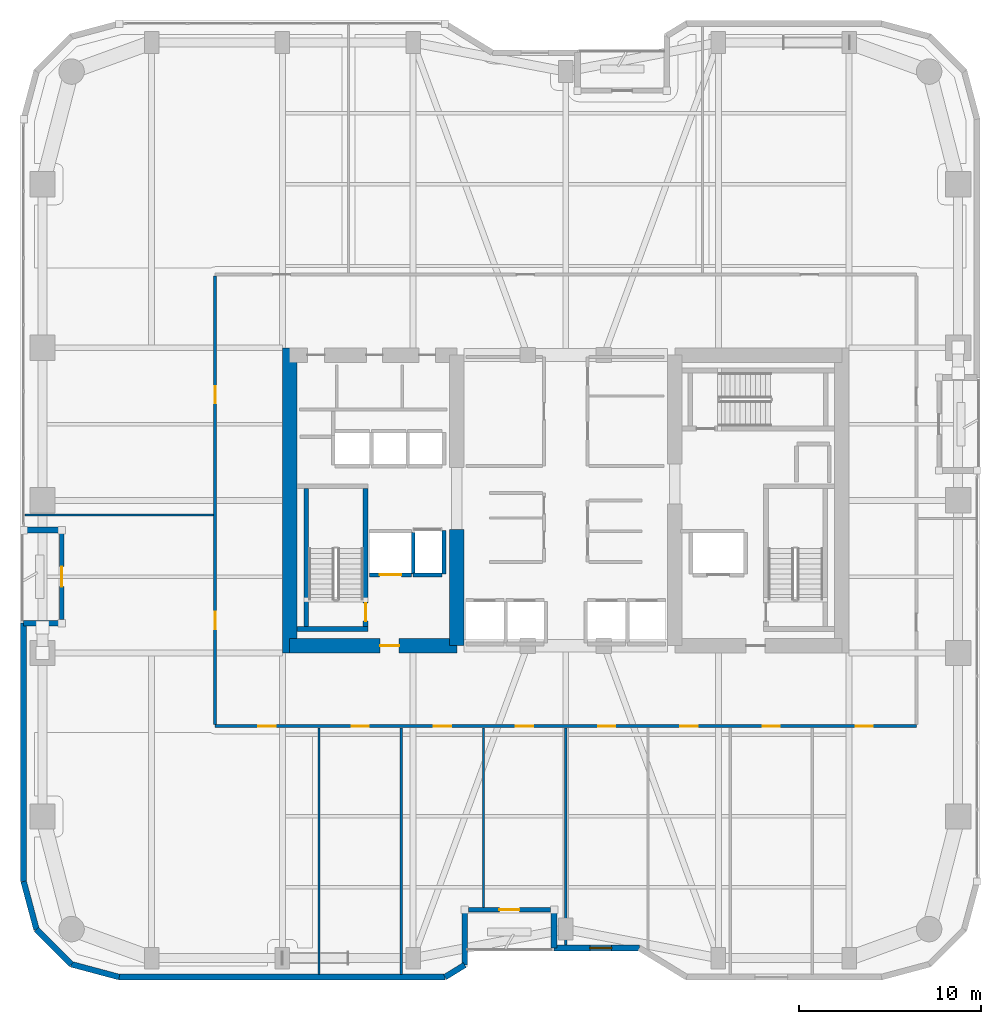
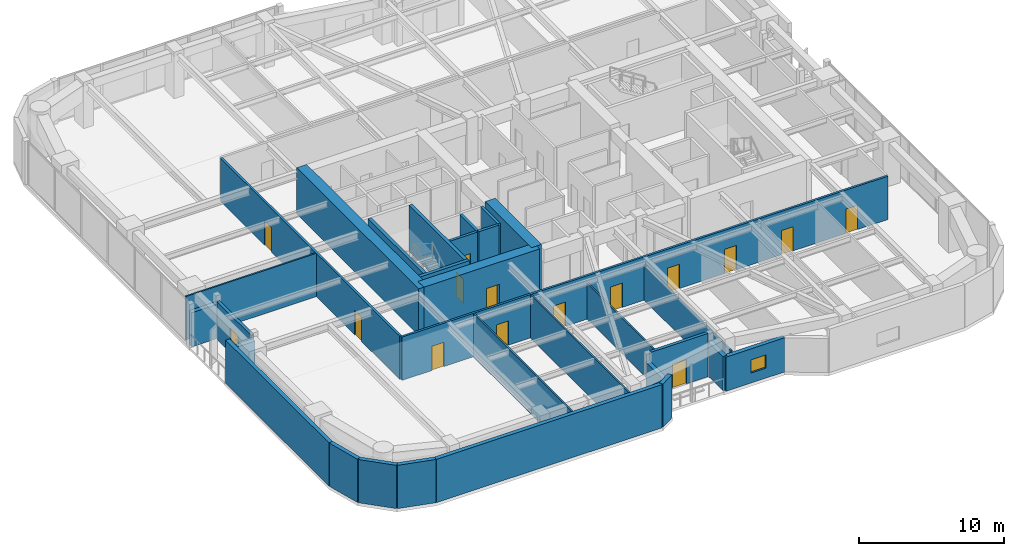
# One storey, part 18 of 24: 30 walls, 15 doors, 1 window, 16 openings.
"""IFC4 building model written with IfcOpenShell, lengths in metres."""

from ifc_helpers import new_model, si_unit, direction, frame, frame_2d, origin, place, context, subcontext, project, spatial, rectangle, extrude, material, layer, layer_set, type_object, element, fill, save


model = new_model("IFC4")

# Units and contexts
model_context = context("Model", 3, precision=1e-05, world=origin(), true_north=direction((0.0, 1.0)))
body_context = subcontext(model_context, "Body", "Model", "MODEL_VIEW")
ifc_project = project(units=[si_unit("LENGTHUNIT", "METRE"), si_unit("AREAUNIT", "SQUARE_METRE"), si_unit("VOLUMEUNIT", "CUBIC_METRE"), si_unit("PLANEANGLEUNIT", "RADIAN"), si_unit("MASSUNIT", "GRAM", prefix="KILO")], contexts=[model_context])

# Site, building, storey
site_placement = place(None, origin())
site = spatial("IfcSite", under=ifc_project, at=site_placement, CompositionType="ELEMENT")
building_placement = place(site_placement, origin())
building = spatial("IfcBuilding", under=site, at=building_placement, Name="Kiyonajd Concourse Tower", CompositionType="ELEMENT")
storey_placement = place(building_placement, frame((0.0, 0.0, 113.10009765625)))
storey = spatial("IfcBuildingStorey", under=building, at=storey_placement, Name="L29", CompositionType="ELEMENT", Elevation=113.10009765625)

# Walls
ifc_material_1 = material(Name="Concrete C70/85", Category="concrete")
ifc_layer_1 = layer(ifc_material_1, 0.800048828125)
ifc_layer_set_1 = layer_set([ifc_layer_1], Name="Concrete C70/85")
wall_type_1 = type_object("IfcWallType", Name="WL-CORE-800", PredefinedType="SHEAR", material=ifc_layer_set_1)
wall_1_placement = place(storey_placement, frame((32.800048828125, 27.60009765625, 0.0), z_axis=(0.0, 0.0, 1.0), x_axis=(0.0, 1.0, 0.0)))
element("IfcWall", 1, at=wall_1_placement, inside=storey, type_object=wall_type_1, Name="L29 West Core Outer Shear Wall", PredefinedType="SHEAR", context=body_context, shape_type="SweptSolid", body=[
    extrude(rectangle(XDim=16.7998046875, YDim=0.800048828125, at=frame_2d((8.39990234375, 0.0))), origin(), (0.0, 0.0, 1.0), 3.89990234375),
])
wall_2_placement = place(storey_placement, frame((42.0, 28.0, 0.0), z_axis=(0.0, 0.0, 1.0), x_axis=(0.0, 1.0, 0.0)))
element("IfcWall", 2, at=wall_2_placement, inside=storey, type_object=wall_type_1, Name="L29 West Core Inner South Shear Wall", PredefinedType="SHEAR", context=body_context, shape_type="SweptSolid", body=[
    extrude(rectangle(XDim=6.39990234375, YDim=0.800048828125, at=frame_2d((3.199951171875, 0.0))), origin(), (0.0, 0.0, 1.0), 3.89990234375),
])

# Wall, opening, door
wall_3_placement = place(storey_placement, frame((32.800048828125, 28.0, 0.0), z_axis=(0.0, 0.0, 1.0), x_axis=(1.0, 0.0, 0.0)))
wall_3 = element("IfcWall", 3, at=wall_3_placement, inside=storey, type_object=wall_type_1, Name="L29 West Core South Shear Wall", PredefinedType="SHEAR", context=body_context, shape_type="SweptSolid", body=[
    extrude(rectangle(XDim=9.199951171875, YDim=0.800048828125, at=frame_2d((4.60009765625, 0.0))), origin(), (0.0, 0.0, 1.0), 3.89990234375),
])
opening_1_placement = place(wall_3_placement, frame((4.97509765625, 0.0, 0.0)))
opening_1 = element("IfcOpeningElement", 4, at=opening_1_placement, cuts=wall_3, Name="Opening DF5", PredefinedType="OPENING", context=body_context, shape_type="SweptSolid", body=[
    extrude(rectangle(XDim=1.050048828125, YDim=2.0400390625, at=frame_2d((0.52490234375, 1.02001953125))), frame((0.0, 0.409912109375, 0.0), z_axis=(0.0, -1.0, 0.0), x_axis=(1.0, 0.0, 0.0)), (0.0, 0.0, 1.0), 0.820068359375),
])
ifc_material_2 = material(Name="Brushed Stainless Steel Cab Assembly", Category="steel")
door_type_1 = type_object("IfcDoorType", Name="DR-FD45-1050", OperationType="NOTDEFINED", PredefinedType="DOOR", material=ifc_material_2)
door_1_placement = place(opening_1_placement, origin())
door_1 = element("IfcDoor", 5, at=door_1_placement, inside=storey, type_object=door_type_1, Name="L29 Firefighting Lift Lobby W Smoke Door", OperationType="SINGLE_SWING_LEFT", OverallHeight=2.0400390625, OverallWidth=1.050048828125, PredefinedType="DOOR", context=body_context, shape_type="SweptSolid", body=[
    extrude(rectangle(XDim=1.050048828125, YDim=2.0400390625, at=frame_2d((0.52490234375, 1.02001953125))), frame((0.0, 0.02490234375, 0.0), z_axis=(0.0, -1.0, 0.0), x_axis=(1.0, 0.0, 0.0)), (0.0, 0.0, 1.0), 0.050048828125),
])
fill(opening_1, door_1)

# Walls
ifc_material_3 = material(Name="Precast concrete C50/60", Category="concrete")
ifc_layer_2 = layer(ifc_material_3, 0.320068359375)
ifc_layer_set_2 = layer_set([ifc_layer_2], Name="Precast concrete C50/60")
wall_type_2 = type_object("IfcWallType", Name="WL-EXT-320", PredefinedType="SOLIDWALL", material=ifc_layer_set_2)
wall_4_placement = place(storey_placement, frame((18.866455078125, 12.3828125, 0.0), z_axis=(0.0, 0.0, 1.0), x_axis=(-0.25869736047, 0.965958423373, 0.0)))
element("IfcWall", 6, at=wall_4_placement, inside=storey, type_object=wall_type_2, Name="L29 Exterior Concrete Frame Wall 00", PredefinedType="SOLIDWALL", context=body_context, shape_type="SweptSolid", body=[
    extrude(rectangle(XDim=2.731201171875, YDim=0.320068359375, at=frame_2d((1.36572265625, 0.0))), origin(), (0.0, 0.0, 1.0), 3.639892578125),
])
wall_5_placement = place(storey_placement, frame((18.159912109375, 15.02099609375, 0.0), z_axis=(0.0, 0.0, 1.0), x_axis=(0.0, 1.0, 0.0)))
element("IfcWall", 7, at=wall_5_placement, inside=storey, type_object=wall_type_2, Name="L29 Exterior Concrete Frame Wall 01", PredefinedType="SOLIDWALL", context=body_context, shape_type="SweptSolid", body=[
    extrude(rectangle(XDim=14.218994140625, YDim=0.320068359375, at=frame_2d((7.109375, 0.0))), origin(), (0.0, 0.0, 1.0), 3.639892578125),
])
for number, where, z_axis, x_axis, name in (
    (8, (18.159912109375, 29.239990234375, 0.0), (0.0, 0.0, 1.0), (1.0, 0.0, 0.0), "L29 Exterior Concrete Frame Wall 02"),
    (9, (20.260009765625, 34.360107421875, 0.0), (0.0, 0.0, 1.0), (-1.0, 0.0, 0.0), "L29 Exterior Concrete Frame Wall 04"),
):
    element("IfcWall", number, at=place(storey_placement, frame(where, z_axis=z_axis, x_axis=x_axis)), inside=storey, type_object=wall_type_2, Name=name, PredefinedType="SOLIDWALL", context=body_context, shape_type="SweptSolid", body=[
        extrude(rectangle(XDim=2.10009765625, YDim=0.320068359375, at=frame_2d((1.050048828125, 0.0))), origin(), (0.0, 0.0, 1.0), 2.875),
    ])

# Wall, opening, window
wall_6_placement = place(storey_placement, frame((52.04541015625, 11.360107421875, 0.0), z_axis=(0.0, 0.0, 1.0), x_axis=(-1.0, 0.0, 0.0)))
wall_6 = element("IfcWall", 10, at=wall_6_placement, inside=storey, type_object=wall_type_2, Name="L29 Exterior Concrete Frame Wall 30", PredefinedType="SOLIDWALL", context=body_context, shape_type="SweptSolid", body=[
    extrude(rectangle(XDim=4.685302734375, YDim=0.320068359375, at=frame_2d((2.3427734375, 0.0))), origin(), (0.0, 0.0, 1.0), 2.875),
])
opening_2_placement = place(wall_6_placement, frame((1.51806640625, 0.0, 0.85009765625)))
opening_2 = element("IfcOpeningElement", 11, at=opening_2_placement, cuts=wall_6, Name="Opening WN3", PredefinedType="OPENING", context=body_context, shape_type="SweptSolid", body=[
    extrude(rectangle(XDim=1.199951171875, YDim=1.10009765625, at=frame_2d((0.60009765625, 0.550048828125))), frame((0.0, 0.169921875, 0.0), z_axis=(0.0, -1.0, 0.0), x_axis=(1.0, 0.0, 0.0)), (0.0, 0.0, 1.0), 0.340087890625),
])
ifc_material_4 = material(Name="Double Low-E Insulated Glass", Category="glass")
window_type = type_object("IfcWindowType", Name="WN-VIS-1200x1100", PartitioningType="SINGLE_PANEL", PredefinedType="WINDOW", material=ifc_material_4)
window_placement = place(opening_2_placement, origin())
window = element("IfcWindow", 12, at=window_placement, inside=storey, type_object=window_type, Name="L29 Modular Facade Vision Window 30", OverallHeight=1.10009765625, OverallWidth=1.199951171875, PartitioningType="SINGLE_PANEL", PredefinedType="WINDOW", context=body_context, shape_type="SweptSolid", body=[
    extrude(rectangle(XDim=1.199951171875, YDim=1.10009765625, at=frame_2d((0.60009765625, 0.550048828125))), frame((0.0, 0.030029296875, 0.0), z_axis=(0.0, -1.0, 0.0), x_axis=(1.0, 0.0, 0.0)), (0.0, 0.0, 1.0), 0.06005859375),
])
fill(opening_2, window)

# Walls
wall_7_placement = place(storey_placement, frame((47.360107421875, 11.360107421875, 0.0), z_axis=(0.0, 0.0, 1.0), x_axis=(0.0, 1.0, 0.0)))
element("IfcWall", 13, at=wall_7_placement, inside=storey, type_object=wall_type_2, Name="L29 Exterior Concrete Frame Wall 31", PredefinedType="SOLIDWALL", context=body_context, shape_type="SweptSolid", body=[
    extrude(rectangle(XDim=2.099853515625, YDim=0.320068359375, at=frame_2d((1.0498046875, 0.0))), origin(), (0.0, 0.0, 1.0), 2.875),
])
wall_8_placement = place(storey_placement, frame((42.43994140625, 13.4599609375, 0.0), z_axis=(0.0, 0.0, 1.0), x_axis=(0.0, -1.0, 0.0)))
element("IfcWall", 14, at=wall_8_placement, inside=storey, type_object=wall_type_2, Name="L29 Exterior Concrete Frame Wall 33", PredefinedType="SOLIDWALL", context=body_context, shape_type="SweptSolid", body=[
    extrude(rectangle(XDim=3.032470703125, YDim=0.320068359375, at=frame_2d((1.51611328125, 0.0))), origin(), (0.0, 0.0, 1.0), 2.875),
])
wall_9_placement = place(storey_placement, frame((42.43994140625, 10.427490234375, 0.0), z_axis=(0.0, 0.0, 1.0), x_axis=(-0.851776724646, -0.523904964045, 0.0)))
element("IfcWall", 15, at=wall_9_placement, inside=storey, type_object=wall_type_2, Name="L29 Exterior Concrete Frame Wall 34", PredefinedType="SOLIDWALL", context=body_context, shape_type="SweptSolid", body=[
    extrude(rectangle(XDim=1.274169921875, YDim=0.320068359375, at=frame_2d((0.63720703125, 0.0))), origin(), (0.0, 0.0, 1.0), 3.639892578125),
])
wall_10_placement = place(storey_placement, frame((41.354736328125, 9.760009765625, 0.0), z_axis=(0.0, 0.0, 1.0), x_axis=(-1.0, 0.0, 0.0)))
element("IfcWall", 16, at=wall_10_placement, inside=storey, type_object=wall_type_2, Name="L29 Exterior Concrete Frame Wall 35", PredefinedType="SOLIDWALL", context=body_context, shape_type="SweptSolid", body=[
    extrude(rectangle(XDim=17.93359375, YDim=0.320068359375, at=frame_2d((8.966796875, 0.0))), origin(), (0.0, 0.0, 1.0), 3.639892578125),
])
wall_11_placement = place(storey_placement, frame((23.421142578125, 9.760009765625, 0.0), z_axis=(0.0, 0.0, 1.0), x_axis=(-0.965964405026, 0.25867502435, 0.0)))
element("IfcWall", 17, at=wall_11_placement, inside=storey, type_object=wall_type_2, Name="L29 Exterior Concrete Frame Wall 36", PredefinedType="SOLIDWALL", context=body_context, shape_type="SweptSolid", body=[
    extrude(rectangle(XDim=2.7314453125, YDim=0.320068359375, at=frame_2d((1.36572265625, 0.0))), origin(), (0.0, 0.0, 1.0), 3.639892578125),
])
wall_12_placement = place(storey_placement, frame((20.78271484375, 10.466552734375, 0.0), z_axis=(0.0, 0.0, 1.0), x_axis=(-0.707106781187, 0.707106781187, 0.0)))
element("IfcWall", 18, at=wall_12_placement, inside=storey, type_object=wall_type_2, Name="L29 Exterior Concrete Frame Wall 37", PredefinedType="SOLIDWALL", context=body_context, shape_type="SweptSolid", body=[
    extrude(rectangle(XDim=2.7099609375, YDim=0.320068359375, at=frame_2d((1.35498046875, 0.0))), origin(), (0.0, 0.0, 1.0), 3.639892578125),
])

# Wall, opening, door
ifc_layer_3 = layer(ifc_material_3, 0.239990234375)
ifc_layer_set_3 = layer_set([ifc_layer_3], Name="Precast concrete C50/60")
wall_type_3 = type_object("IfcWallType", Name="WL-LOG-240", PredefinedType="SOLIDWALL", material=ifc_layer_set_3)
wall_13_placement = place(storey_placement, frame((20.260009765625, 29.43505859375, 0.0), z_axis=(0.0, 0.0, 1.0), x_axis=(0.0, 1.0, 0.0)))
wall_13 = element("IfcWall", 19, at=wall_13_placement, inside=storey, type_object=wall_type_3, Name="L29 Recessed Loggia Thermal Wall LOG-W", PredefinedType="SOLIDWALL", context=body_context, shape_type="SweptSolid", body=[
    extrude(rectangle(XDim=4.72998046875, YDim=0.239990234375, at=frame_2d((2.364990234375, 0.0))), origin(), (0.0, 0.0, 1.0), 3.161865234375),
])
opening_3_placement = place(wall_13_placement, frame((1.81494140625, 0.0, 0.0)))
opening_3 = element("IfcOpeningElement", 20, at=opening_3_placement, cuts=wall_13, Name="Opening DL2", PredefinedType="OPENING", context=body_context, shape_type="SweptSolid", body=[
    extrude(rectangle(XDim=1.10009765625, YDim=2.0400390625, at=frame_2d((0.550048828125, 1.02001953125))), frame((0.0, 0.1298828125, 0.0), z_axis=(0.0, -1.0, 0.0), x_axis=(1.0, 0.0, 0.0)), (0.0, 0.0, 1.0), 0.260009765625),
])
ifc_material_5 = material(Name="Thermally Broken Anodised Aluminium", Category="aluminium")
door_type_2 = type_object("IfcDoorType", Name="DR-LOG-1100", OperationType="NOTDEFINED", PredefinedType="DOOR", material=ifc_material_5)
door_2_placement = place(opening_3_placement, origin())
door_2 = element("IfcDoor", 21, at=door_2_placement, inside=storey, type_object=door_type_2, Name="L29 Engawa Loggia Access Door LOG-W", OperationType="SINGLE_SWING_LEFT", OverallHeight=2.0400390625, OverallWidth=1.10009765625, PredefinedType="DOOR", context=body_context, shape_type="SweptSolid", body=[
    extrude(rectangle(XDim=1.10009765625, YDim=2.0400390625, at=frame_2d((0.550048828125, 1.02001953125))), frame((0.0, 0.02490234375, 0.0), z_axis=(0.0, -1.0, 0.0), x_axis=(1.0, 0.0, 0.0)), (0.0, 0.0, 1.0), 0.050048828125),
])
fill(opening_3, door_2)

wall_14_placement = place(storey_placement, frame((47.1650390625, 13.4599609375, 0.0), z_axis=(0.0, 0.0, 1.0), x_axis=(-1.0, 0.0, 0.0)))
wall_14 = element("IfcWall", 22, at=wall_14_placement, inside=storey, type_object=wall_type_3, Name="L29 Recessed Loggia Thermal Wall LOG-S", PredefinedType="SOLIDWALL", context=body_context, shape_type="SweptSolid", body=[
    extrude(rectangle(XDim=4.530029296875, YDim=0.239990234375, at=frame_2d((2.26513671875, 0.0))), origin(), (0.0, 0.0, 1.0), 3.639892578125),
])
opening_4_placement = place(wall_14_placement, frame((1.715087890625, 0.0, 0.0)))
opening_4 = element("IfcOpeningElement", 23, at=opening_4_placement, cuts=wall_14, Name="Opening DL2", PredefinedType="OPENING", context=body_context, shape_type="SweptSolid", body=[
    extrude(rectangle(XDim=1.10009765625, YDim=2.0400390625, at=frame_2d((0.550048828125, 1.02001953125))), frame((0.0, 0.1298828125, 0.0), z_axis=(0.0, -1.0, 0.0), x_axis=(1.0, 0.0, 0.0)), (0.0, 0.0, 1.0), 0.260009765625),
])
door_3_placement = place(opening_4_placement, origin())
door_3 = element("IfcDoor", 24, at=door_3_placement, inside=storey, type_object=door_type_2, Name="L29 Engawa Loggia Access Door LOG-S", OperationType="SINGLE_SWING_RIGHT", OverallHeight=2.0400390625, OverallWidth=1.10009765625, PredefinedType="DOOR", context=body_context, shape_type="SweptSolid", body=[
    extrude(rectangle(XDim=1.10009765625, YDim=2.0400390625, at=frame_2d((0.550048828125, 1.02001953125))), frame((0.0, 0.02490234375, 0.0), z_axis=(0.0, -1.0, 0.0), x_axis=(1.0, 0.0, 0.0)), (0.0, 0.0, 1.0), 0.050048828125),
])
fill(opening_4, door_3)

# Walls
ifc_material_6 = material(Name="Gypsum Board on Cold-Formed Steel Stud", Category="steel")
ifc_layer_4 = layer(ifc_material_6, 0.125)
ifc_layer_set_4 = layer_set([ifc_layer_4], Name="Gypsum Board on Cold-Formed Steel Stud")
wall_type_4 = type_object("IfcWallType", Name="WL-PART-125", PredefinedType="PARTITIONING", material=ifc_layer_set_4)
for number, where, z_axis, x_axis, name in (
    (25, (34.419921875, 9.9150390625, 0.0), (0.0, 0.0, 1.0), (0.0, 1.0, 0.0), "L29 Interior Partition Wall"),
    (26, (38.949951171875, 9.9150390625, 0.0), (0.0, 0.0, 1.0), (0.0, 1.0, 0.0), "L29 Interior Partition Wall"),
):
    element("IfcWall", number, at=place(storey_placement, frame(where, z_axis=z_axis, x_axis=x_axis)), inside=storey, type_object=wall_type_4, Name=name, PredefinedType="PARTITIONING", context=body_context, shape_type="SweptSolid", body=[
        extrude(rectangle(XDim=13.56787109375, YDim=0.125, at=frame_2d((6.783935546875, 0.0))), origin(), (0.0, 0.0, 1.0), 3.639892578125),
    ])
wall_15_placement = place(storey_placement, frame((43.469970703125, 13.574951171875, 0.0), z_axis=(0.0, 0.0, 1.0), x_axis=(0.0, 1.0, 0.0)))
element("IfcWall", 27, at=wall_15_placement, inside=storey, type_object=wall_type_4, Name="L29 Interior Partition Wall", PredefinedType="PARTITIONING", context=body_context, shape_type="SweptSolid", body=[
    extrude(rectangle(XDim=9.907958984375, YDim=0.125, at=frame_2d((4.9541015625, 0.0))), origin(), (0.0, 0.0, 1.0), 3.0029296875),
])
wall_16_placement = place(storey_placement, frame((48.0, 11.514892578125, 0.0), z_axis=(0.0, 0.0, 1.0), x_axis=(0.0, 1.0, 0.0)))
element("IfcWall", 28, at=wall_16_placement, inside=storey, type_object=wall_type_4, Name="L29 Interior Partition Wall", PredefinedType="PARTITIONING", context=body_context, shape_type="SweptSolid", body=[
    extrude(rectangle(XDim=11.968017578125, YDim=0.125, at=frame_2d((5.98388671875, 0.0))), origin(), (0.0, 0.0, 1.0), 3.0029296875),
])
wall_17_placement = place(storey_placement, frame((18.2451171875, 35.199951171875, 0.0), z_axis=(0.0, 0.0, 1.0), x_axis=(1.0, 0.0, 0.0)))
element("IfcWall", 29, at=wall_17_placement, inside=storey, type_object=wall_type_4, Name="L29 Interior Partition Wall", PredefinedType="PARTITIONING", context=body_context, shape_type="SweptSolid", body=[
    extrude(rectangle(XDim=10.367919921875, YDim=0.125, at=frame_2d((5.18408203125, 0.0))), origin(), (0.0, 0.0, 1.0), 3.639892578125),
])

# Wall, opening, door
ifc_layer_5 = layer(ifc_material_6, 0.2099609375)
ifc_layer_set_5 = layer_set([ifc_layer_5], Name="Gypsum Board on Cold-Formed Steel Stud")
wall_type_5 = type_object("IfcWallType", Name="WL-SHAFT-210", PredefinedType="PARTITIONING", material=ifc_layer_set_5)
wall_18_placement = place(storey_placement, frame((37.199951171875, 31.89990234375, 0.0), z_axis=(0.0, 0.0, 1.0), x_axis=(1.0, 0.0, 0.0)))
wall_18 = element("IfcWall", 30, at=wall_18_placement, inside=storey, type_object=wall_type_5, Name="L29 Shaft Enclosure Wall", PredefinedType="PARTITIONING", context=body_context, shape_type="SweptSolid", body=[
    extrude(rectangle(XDim=2.300048828125, YDim=0.2099609375, at=frame_2d((1.14990234375, 0.0))), origin(), (0.0, 0.0, 1.0), 3.639892578125),
])
opening_5_placement = place(wall_18_placement, frame((0.550048828125, 0.0, 0.0)))
opening_5 = element("IfcOpeningElement", 31, at=opening_5_placement, cuts=wall_18, Name="Opening LD2", PredefinedType="OPENING", context=body_context, shape_type="SweptSolid", body=[
    extrude(rectangle(XDim=1.199951171875, YDim=2.0400390625, at=frame_2d((0.60009765625, 1.02001953125))), frame((0.0, 0.114990234375, 0.0), z_axis=(0.0, -1.0, 0.0), x_axis=(1.0, 0.0, 0.0)), (0.0, 0.0, 1.0), 0.22998046875),
])
door_type_3 = type_object("IfcDoorType", Name="DR-LD-1200", OperationType="DOUBLE_DOOR_SLIDING", PredefinedType="DOOR", material=ifc_material_2)
door_4_placement = place(opening_5_placement, origin())
door_4 = element("IfcDoor", 32, at=door_4_placement, inside=storey, type_object=door_type_3, Name="L29 Lift FFL1 Sliding Landing Door", OperationType="DOUBLE_DOOR_SLIDING", OverallHeight=2.0400390625, OverallWidth=1.199951171875, PredefinedType="DOOR", context=body_context, shape_type="SweptSolid", body=[
    extrude(rectangle(XDim=1.199951171875, YDim=2.0400390625, at=frame_2d((0.60009765625, 1.02001953125))), frame((0.0, 0.02490234375, 0.0), z_axis=(0.0, -1.0, 0.0), x_axis=(1.0, 0.0, 0.0)), (0.0, 0.0, 1.0), 0.050048828125),
])
fill(opening_5, door_4)

# Walls
wall_19_placement = place(storey_placement, frame((39.60009765625, 31.9599609375, 0.0), z_axis=(0.0, 0.0, 1.0), x_axis=(0.0, 1.0, 0.0)))
element("IfcWall", 33, at=wall_19_placement, inside=storey, type_object=wall_type_5, Name="L29 Shaft Enclosure Wall", PredefinedType="PARTITIONING", context=body_context, shape_type="SweptSolid", body=[
    extrude(rectangle(XDim=2.280029296875, YDim=0.2099609375, at=frame_2d((1.14013671875, 0.0))), origin(), (0.0, 0.0, 1.0), 3.639892578125),
])
wall_20_placement = place(storey_placement, frame((39.60009765625, 31.89990234375, 0.0), z_axis=(0.0, 0.0, 1.0), x_axis=(1.0, 0.0, 0.0)))
element("IfcWall", 34, at=wall_20_placement, inside=storey, type_object=wall_type_5, Name="L29 Shaft Enclosure Wall", PredefinedType="PARTITIONING", context=body_context, shape_type="SweptSolid", body=[
    extrude(rectangle(XDim=1.599853515625, YDim=0.2099609375, at=frame_2d((0.7998046875, 0.0))), origin(), (0.0, 0.0, 1.0), 3.639892578125),
])
wall_21_placement = place(storey_placement, frame((41.300048828125, 31.9599609375, 0.0), z_axis=(0.0, 0.0, 1.0), x_axis=(0.0, 1.0, 0.0)))
element("IfcWall", 35, at=wall_21_placement, inside=storey, type_object=wall_type_5, Name="L29 Shaft Enclosure Wall", PredefinedType="PARTITIONING", context=body_context, shape_type="SweptSolid", body=[
    extrude(rectangle(XDim=2.380126953125, YDim=0.2099609375, at=frame_2d((1.18994140625, 0.0))), origin(), (0.0, 0.0, 1.0), 3.639892578125),
])

# Wall, openings, doors
ifc_layer_6 = layer(ifc_material_6, 0.169921875)
ifc_layer_set_6 = layer_set([ifc_layer_6], Name="Gypsum Board on Cold-Formed Steel Stud")
wall_type_6 = type_object("IfcWallType", Name="WL-SMK-170", PredefinedType="PARTITIONING", material=ifc_layer_set_6)
wall_22_placement = place(storey_placement, frame((28.699951171875, 23.570068359375, 0.0), z_axis=(0.0, 0.0, 1.0), x_axis=(1.0, 0.0, 0.0)))
wall_22 = element("IfcWall", 36, at=wall_22_placement, inside=storey, type_object=wall_type_6, Name="L29 Interior Partition Wall", PredefinedType="PARTITIONING", context=body_context, shape_type="SweptSolid", body=[
    extrude(rectangle(XDim=38.60009765625, YDim=0.169921875, at=frame_2d((19.300048828125, 0.0))), origin(), (0.0, 0.0, 1.0), 3.639892578125),
])
opening_6_placement = place(wall_22_placement, frame((2.385009765625, 0.0, 0.0)))
opening_6 = element("IfcOpeningElement", 37, at=opening_6_placement, cuts=wall_22, Name="Opening DI1", PredefinedType="OPENING", context=body_context, shape_type="SweptSolid", body=[
    extrude(rectangle(XDim=0.949951171875, YDim=2.0400390625, at=frame_2d((0.47509765625, 1.02001953125))), frame((0.0, 0.094970703125, 0.0), z_axis=(0.0, -1.0, 0.0), x_axis=(1.0, 0.0, 0.0)), (0.0, 0.0, 1.0), 0.18994140625),
])
opening_7_placement = place(wall_22_placement, frame((7.510009765625, 0.0, 0.0)))
opening_7 = element("IfcOpeningElement", 38, at=opening_7_placement, cuts=wall_22, Name="Opening DI1", PredefinedType="OPENING", context=body_context, shape_type="SweptSolid", body=[
    extrude(rectangle(XDim=0.949951171875, YDim=2.0400390625, at=frame_2d((0.47509765625, 1.02001953125))), frame((0.0, 0.094970703125, 0.0), z_axis=(0.0, -1.0, 0.0), x_axis=(1.0, 0.0, 0.0)), (0.0, 0.0, 1.0), 0.18994140625),
])
opening_8_placement = place(wall_22_placement, frame((12.034912109375, 0.0, 0.0)))
opening_8 = element("IfcOpeningElement", 39, at=opening_8_placement, cuts=wall_22, Name="Opening DI1", PredefinedType="OPENING", context=body_context, shape_type="SweptSolid", body=[
    extrude(rectangle(XDim=0.949951171875, YDim=2.0400390625, at=frame_2d((0.47509765625, 1.02001953125))), frame((0.0, 0.094970703125, 0.0), z_axis=(0.0, -1.0, 0.0), x_axis=(1.0, 0.0, 0.0)), (0.0, 0.0, 1.0), 0.18994140625),
])
opening_9_placement = place(wall_22_placement, frame((16.56005859375, 0.0, 0.0)))
opening_9 = element("IfcOpeningElement", 40, at=opening_9_placement, cuts=wall_22, Name="Opening DI1", PredefinedType="OPENING", context=body_context, shape_type="SweptSolid", body=[
    extrude(rectangle(XDim=0.949951171875, YDim=2.0400390625, at=frame_2d((0.47509765625, 1.02001953125))), frame((0.0, 0.094970703125, 0.0), z_axis=(0.0, -1.0, 0.0), x_axis=(1.0, 0.0, 0.0)), (0.0, 0.0, 1.0), 0.18994140625),
])
opening_10_placement = place(wall_22_placement, frame((21.0849609375, 0.0, 0.0)))
opening_10 = element("IfcOpeningElement", 41, at=opening_10_placement, cuts=wall_22, Name="Opening DI1", PredefinedType="OPENING", context=body_context, shape_type="SweptSolid", body=[
    extrude(rectangle(XDim=0.949951171875, YDim=2.0400390625, at=frame_2d((0.47509765625, 1.02001953125))), frame((0.0, 0.094970703125, 0.0), z_axis=(0.0, -1.0, 0.0), x_axis=(1.0, 0.0, 0.0)), (0.0, 0.0, 1.0), 0.18994140625),
])
opening_11_placement = place(wall_22_placement, frame((25.610107421875, 0.0, 0.0)))
opening_11 = element("IfcOpeningElement", 42, at=opening_11_placement, cuts=wall_22, Name="Opening DI1", PredefinedType="OPENING", context=body_context, shape_type="SweptSolid", body=[
    extrude(rectangle(XDim=0.949951171875, YDim=2.0400390625, at=frame_2d((0.47509765625, 1.02001953125))), frame((0.0, 0.094970703125, 0.0), z_axis=(0.0, -1.0, 0.0), x_axis=(1.0, 0.0, 0.0)), (0.0, 0.0, 1.0), 0.18994140625),
])
opening_12_placement = place(wall_22_placement, frame((30.135009765625, 0.0, 0.0)))
opening_12 = element("IfcOpeningElement", 43, at=opening_12_placement, cuts=wall_22, Name="Opening DI1", PredefinedType="OPENING", context=body_context, shape_type="SweptSolid", body=[
    extrude(rectangle(XDim=0.949951171875, YDim=2.0400390625, at=frame_2d((0.47509765625, 1.02001953125))), frame((0.0, 0.094970703125, 0.0), z_axis=(0.0, -1.0, 0.0), x_axis=(1.0, 0.0, 0.0)), (0.0, 0.0, 1.0), 0.18994140625),
])
opening_13_placement = place(wall_22_placement, frame((35.260009765625, 0.0, 0.0)))
opening_13 = element("IfcOpeningElement", 44, at=opening_13_placement, cuts=wall_22, Name="Opening DI1", PredefinedType="OPENING", context=body_context, shape_type="SweptSolid", body=[
    extrude(rectangle(XDim=0.949951171875, YDim=2.0400390625, at=frame_2d((0.47509765625, 1.02001953125))), frame((0.0, 0.094970703125, 0.0), z_axis=(0.0, -1.0, 0.0), x_axis=(1.0, 0.0, 0.0)), (0.0, 0.0, 1.0), 0.18994140625),
])
ifc_material_7 = material(Name="Natural Oak Acoustic Timber Veneer", Category="wood")
door_type_4 = type_object("IfcDoorType", Name="DR-INT-950", OperationType="NOTDEFINED", PredefinedType="DOOR", material=ifc_material_7)
door_5_placement = place(opening_6_placement, origin())
door_5 = element("IfcDoor", 45, at=door_5_placement, inside=storey, type_object=door_type_4, Name="L29 Interior Door", OperationType="SINGLE_SWING_RIGHT", OverallHeight=2.0400390625, OverallWidth=0.949951171875, PredefinedType="DOOR", context=body_context, shape_type="SweptSolid", body=[
    extrude(rectangle(XDim=0.949951171875, YDim=2.0400390625, at=frame_2d((0.47509765625, 1.02001953125))), frame((0.0, 0.02490234375, 0.0), z_axis=(0.0, -1.0, 0.0), x_axis=(1.0, 0.0, 0.0)), (0.0, 0.0, 1.0), 0.050048828125),
])
fill(opening_6, door_5)
door_6_placement = place(opening_7_placement, origin())
door_6 = element("IfcDoor", 46, at=door_6_placement, inside=storey, type_object=door_type_4, Name="L29 Interior Door", OperationType="SINGLE_SWING_LEFT", OverallHeight=2.0400390625, OverallWidth=0.949951171875, PredefinedType="DOOR", context=body_context, shape_type="SweptSolid", body=[
    extrude(rectangle(XDim=0.949951171875, YDim=2.0400390625, at=frame_2d((0.47509765625, 1.02001953125))), frame((0.0, 0.02490234375, 0.0), z_axis=(0.0, -1.0, 0.0), x_axis=(1.0, 0.0, 0.0)), (0.0, 0.0, 1.0), 0.050048828125),
])
fill(opening_7, door_6)
door_7_placement = place(opening_8_placement, origin())
door_7 = element("IfcDoor", 47, at=door_7_placement, inside=storey, type_object=door_type_4, Name="L29 Interior Door", OperationType="SINGLE_SWING_RIGHT", OverallHeight=2.0400390625, OverallWidth=0.949951171875, PredefinedType="DOOR", context=body_context, shape_type="SweptSolid", body=[
    extrude(rectangle(XDim=0.949951171875, YDim=2.0400390625, at=frame_2d((0.47509765625, 1.02001953125))), frame((0.0, 0.02490234375, 0.0), z_axis=(0.0, -1.0, 0.0), x_axis=(1.0, 0.0, 0.0)), (0.0, 0.0, 1.0), 0.050048828125),
])
fill(opening_8, door_7)
door_8_placement = place(opening_9_placement, origin())
door_8 = element("IfcDoor", 48, at=door_8_placement, inside=storey, type_object=door_type_4, Name="L29 Interior Door", OperationType="SINGLE_SWING_LEFT", OverallHeight=2.0400390625, OverallWidth=0.949951171875, PredefinedType="DOOR", context=body_context, shape_type="SweptSolid", body=[
    extrude(rectangle(XDim=0.949951171875, YDim=2.0400390625, at=frame_2d((0.47509765625, 1.02001953125))), frame((0.0, 0.02490234375, 0.0), z_axis=(0.0, -1.0, 0.0), x_axis=(1.0, 0.0, 0.0)), (0.0, 0.0, 1.0), 0.050048828125),
])
fill(opening_9, door_8)
door_9_placement = place(opening_10_placement, origin())
door_9 = element("IfcDoor", 49, at=door_9_placement, inside=storey, type_object=door_type_4, Name="L29 Interior Door", OperationType="SINGLE_SWING_RIGHT", OverallHeight=2.0400390625, OverallWidth=0.949951171875, PredefinedType="DOOR", context=body_context, shape_type="SweptSolid", body=[
    extrude(rectangle(XDim=0.949951171875, YDim=2.0400390625, at=frame_2d((0.47509765625, 1.02001953125))), frame((0.0, 0.02490234375, 0.0), z_axis=(0.0, -1.0, 0.0), x_axis=(1.0, 0.0, 0.0)), (0.0, 0.0, 1.0), 0.050048828125),
])
fill(opening_10, door_9)
door_10_placement = place(opening_11_placement, origin())
door_10 = element("IfcDoor", 50, at=door_10_placement, inside=storey, type_object=door_type_4, Name="L29 Interior Door", OperationType="SINGLE_SWING_LEFT", OverallHeight=2.0400390625, OverallWidth=0.949951171875, PredefinedType="DOOR", context=body_context, shape_type="SweptSolid", body=[
    extrude(rectangle(XDim=0.949951171875, YDim=2.0400390625, at=frame_2d((0.47509765625, 1.02001953125))), frame((0.0, 0.02490234375, 0.0), z_axis=(0.0, -1.0, 0.0), x_axis=(1.0, 0.0, 0.0)), (0.0, 0.0, 1.0), 0.050048828125),
])
fill(opening_11, door_10)
door_11_placement = place(opening_12_placement, origin())
door_11 = element("IfcDoor", 51, at=door_11_placement, inside=storey, type_object=door_type_4, Name="L29 Interior Door", OperationType="SINGLE_SWING_RIGHT", OverallHeight=2.0400390625, OverallWidth=0.949951171875, PredefinedType="DOOR", context=body_context, shape_type="SweptSolid", body=[
    extrude(rectangle(XDim=0.949951171875, YDim=2.0400390625, at=frame_2d((0.47509765625, 1.02001953125))), frame((0.0, 0.02490234375, 0.0), z_axis=(0.0, -1.0, 0.0), x_axis=(1.0, 0.0, 0.0)), (0.0, 0.0, 1.0), 0.050048828125),
])
fill(opening_12, door_11)
door_12_placement = place(opening_13_placement, origin())
door_12 = element("IfcDoor", 52, at=door_12_placement, inside=storey, type_object=door_type_4, Name="L29 Interior Door", OperationType="SINGLE_SWING_LEFT", OverallHeight=2.0400390625, OverallWidth=0.949951171875, PredefinedType="DOOR", context=body_context, shape_type="SweptSolid", body=[
    extrude(rectangle(XDim=0.949951171875, YDim=2.0400390625, at=frame_2d((0.47509765625, 1.02001953125))), frame((0.0, 0.02490234375, 0.0), z_axis=(0.0, -1.0, 0.0), x_axis=(1.0, 0.0, 0.0)), (0.0, 0.0, 1.0), 0.050048828125),
])
fill(opening_13, door_12)

wall_23_placement = place(storey_placement, frame((28.699951171875, 23.656982421875, 0.0), z_axis=(0.0, 0.0, 1.0), x_axis=(0.0, 1.0, 0.0)))
wall_23 = element("IfcWall", 53, at=wall_23_placement, inside=storey, type_object=wall_type_6, Name="L29 Interior Partition Wall", PredefinedType="PARTITIONING", context=body_context, shape_type="SweptSolid", body=[
    extrude(rectangle(XDim=24.68603515625, YDim=0.169921875, at=frame_2d((12.343017578125, 0.0))), origin(), (0.0, 0.0, 1.0), 3.639892578125),
])
opening_14_placement = place(wall_23_placement, frame((5.2529296875, 0.0, 0.0)))
opening_14 = element("IfcOpeningElement", 54, at=opening_14_placement, cuts=wall_23, Name="Opening DI1", PredefinedType="OPENING", context=body_context, shape_type="SweptSolid", body=[
    extrude(rectangle(XDim=0.949951171875, YDim=2.0400390625, at=frame_2d((0.47509765625, 1.02001953125))), frame((0.0, 0.094970703125, 0.0), z_axis=(0.0, -1.0, 0.0), x_axis=(1.0, 0.0, 0.0)), (0.0, 0.0, 1.0), 0.18994140625),
])
opening_15_placement = place(wall_23_placement, frame((17.68310546875, 0.0, 0.0)))
opening_15 = element("IfcOpeningElement", 55, at=opening_15_placement, cuts=wall_23, Name="Opening DI1", PredefinedType="OPENING", context=body_context, shape_type="SweptSolid", body=[
    extrude(rectangle(XDim=0.949951171875, YDim=2.0400390625, at=frame_2d((0.47509765625, 1.02001953125))), frame((0.0, 0.094970703125, 0.0), z_axis=(0.0, -1.0, 0.0), x_axis=(1.0, 0.0, 0.0)), (0.0, 0.0, 1.0), 0.18994140625),
])
door_13_placement = place(opening_14_placement, origin())
door_13 = element("IfcDoor", 56, at=door_13_placement, inside=storey, type_object=door_type_4, Name="L29 Interior Door", OperationType="SINGLE_SWING_LEFT", OverallHeight=2.0400390625, OverallWidth=0.949951171875, PredefinedType="DOOR", context=body_context, shape_type="SweptSolid", body=[
    extrude(rectangle(XDim=0.949951171875, YDim=2.0400390625, at=frame_2d((0.47509765625, 1.02001953125))), frame((0.0, 0.02490234375, 0.0), z_axis=(0.0, -1.0, 0.0), x_axis=(1.0, 0.0, 0.0)), (0.0, 0.0, 1.0), 0.050048828125),
])
fill(opening_14, door_13)
door_14_placement = place(opening_15_placement, origin())
door_14 = element("IfcDoor", 57, at=door_14_placement, inside=storey, type_object=door_type_4, Name="L29 Interior Door", OperationType="SINGLE_SWING_RIGHT", OverallHeight=2.0400390625, OverallWidth=0.949951171875, PredefinedType="DOOR", context=body_context, shape_type="SweptSolid", body=[
    extrude(rectangle(XDim=0.949951171875, YDim=2.0400390625, at=frame_2d((0.47509765625, 1.02001953125))), frame((0.0, 0.02490234375, 0.0), z_axis=(0.0, -1.0, 0.0), x_axis=(1.0, 0.0, 0.0)), (0.0, 0.0, 1.0), 0.050048828125),
])
fill(opening_15, door_14)

# Walls
ifc_material_8 = material(Name="Concrete C50/60", Category="concrete")
ifc_layer_7 = layer(ifc_material_8, 0.260009765625)
ifc_layer_set_7 = layer_set([ifc_layer_7], Name="Concrete C50/60")
wall_type_7 = type_object("IfcWallType", Name="WL-STAIR-260", PredefinedType="SHEAR", material=ifc_layer_set_7)
wall_24_placement = place(storey_placement, frame((33.199951171875, 28.919921875, 0.0), z_axis=(0.0, 0.0, 1.0), x_axis=(1.0, 0.0, 0.0)))
element("IfcWall", 58, at=wall_24_placement, inside=storey, type_object=wall_type_7, Name="L29 Stair ST1 Structural South Wall", PredefinedType="SHEAR", context=body_context, shape_type="SweptSolid", body=[
    extrude(rectangle(XDim=3.91015625, YDim=0.260009765625, at=frame_2d((1.955078125, 0.0))), origin(), (0.0, 0.0, 1.0), 3.89990234375),
])
wall_25_placement = place(storey_placement, frame((33.719970703125, 29.050048828125, 0.0), z_axis=(0.0, 0.0, 1.0), x_axis=(0.0, 1.0, 0.0)))
element("IfcWall", 59, at=wall_25_placement, inside=storey, type_object=wall_type_7, Name="L29 Stair ST1 Structural West Wall", PredefinedType="SHEAR", context=body_context, shape_type="SweptSolid", body=[
    extrude(rectangle(XDim=7.599853515625, YDim=0.260009765625, at=frame_2d((3.7998046875, 0.0))), origin(), (0.0, 0.0, 1.0), 3.89990234375),
])

# Wall, opening, door
wall_26_placement = place(storey_placement, frame((36.97998046875, 29.050048828125, 0.0), z_axis=(0.0, 0.0, 1.0), x_axis=(0.0, 1.0, 0.0)))
wall_26 = element("IfcWall", 60, at=wall_26_placement, inside=storey, type_object=wall_type_7, Name="L29 Stair ST1 Structural East Wall", PredefinedType="SHEAR", context=body_context, shape_type="SweptSolid", body=[
    extrude(rectangle(XDim=7.599853515625, YDim=0.260009765625, at=frame_2d((3.7998046875, 0.0))), origin(), (0.0, 0.0, 1.0), 3.89990234375),
])
opening_16_placement = place(wall_26_placement, frame((0.300048828125, 0.0, 0.0)))
opening_16 = element("IfcOpeningElement", 61, at=opening_16_placement, cuts=wall_26, Name="Opening DF1", PredefinedType="OPENING", context=body_context, shape_type="SweptSolid", body=[
    extrude(rectangle(XDim=1.0, YDim=2.0400390625, at=frame_2d((0.5, 1.02001953125))), frame((0.0, 0.139892578125, 0.0), z_axis=(0.0, -1.0, 0.0), x_axis=(1.0, 0.0, 0.0)), (0.0, 0.0, 1.0), 0.280029296875),
])
door_type_5 = type_object("IfcDoorType", Name="DR-FD90-1000", OperationType="NOTDEFINED", PredefinedType="DOOR", material=ifc_material_2)
door_15_placement = place(opening_16_placement, origin())
door_15 = element("IfcDoor", 62, at=door_15_placement, inside=storey, type_object=door_type_5, Name="L29 Stair ST1 FSAE Door", OperationType="SINGLE_SWING_LEFT", OverallHeight=2.0400390625, OverallWidth=1.0, PredefinedType="DOOR", context=body_context, shape_type="SweptSolid", body=[
    extrude(rectangle(XDim=1.0, YDim=2.0400390625, at=frame_2d((0.5, 1.02001953125))), frame((0.0, 0.02490234375, 0.0), z_axis=(0.0, -1.0, 0.0), x_axis=(1.0, 0.0, 0.0)), (0.0, 0.0, 1.0), 0.050048828125),
])
fill(opening_16, door_15)

save(model, "model.ifc")
